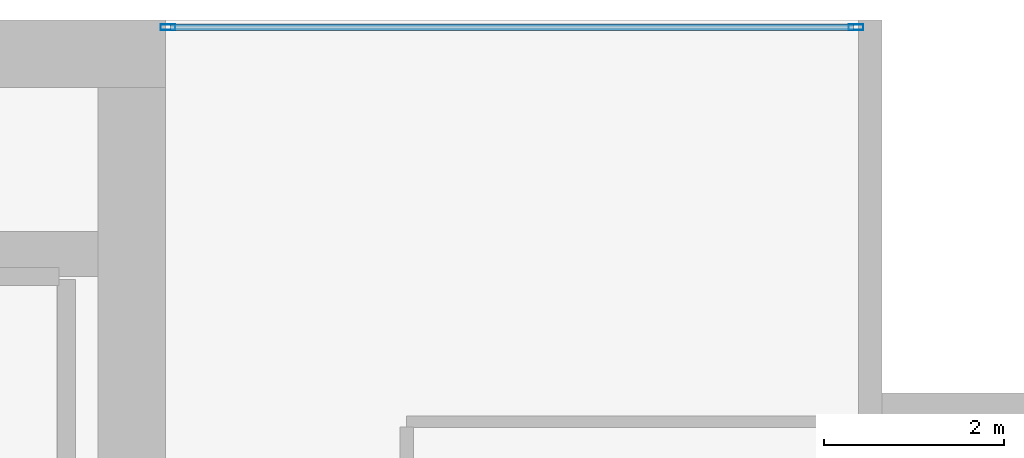
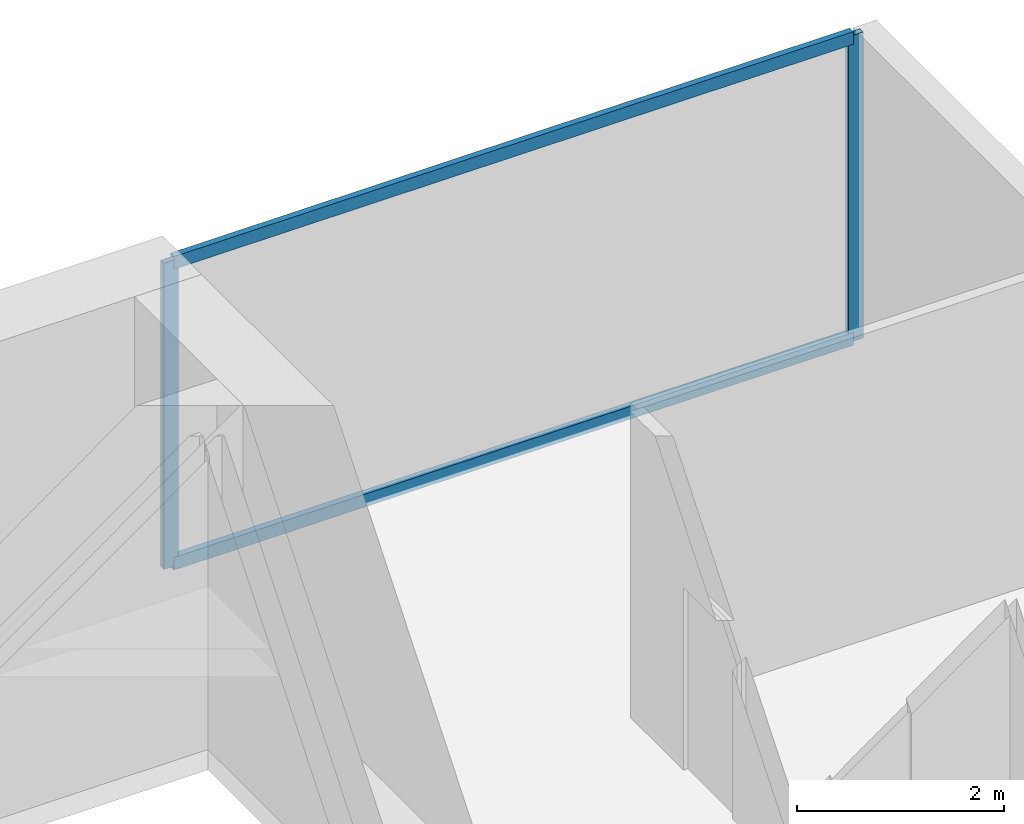
# One storey, part 25 of 34: 4 members, 1 element without a shape of its own.
"""IFC4 building model written with IfcOpenShell, lengths in metres."""

from ifc_helpers import new_model, si_unit, direction, frame, origin, origin_2d, place, context, subcontext, project, spatial, hollow_rectangle, extrude, material, layer, layer_set, material_profile, profile_set, type_object, element, aggregate, save


model = new_model("IFC4")

# Units and contexts
model_context = context("Model", 3, precision=1e-05, world=origin(), true_north=direction((0.0, 1.0)))
body_context = subcontext(model_context, "Body", "Model", "MODEL_VIEW")
ifc_project = project(units=[si_unit("LENGTHUNIT", "METRE"), si_unit("AREAUNIT", "SQUARE_METRE"), si_unit("VOLUMEUNIT", "CUBIC_METRE"), si_unit("PLANEANGLEUNIT", "RADIAN"), si_unit("MASSUNIT", "GRAM", prefix="KILO")], contexts=[model_context])

# Site, building, storey
site_placement = place(None, origin())
site = spatial("IfcSite", under=ifc_project, at=site_placement, CompositionType="ELEMENT")
building_placement = place(site_placement, origin())
building = spatial("IfcBuilding", under=site, at=building_placement, Name="Maruvema Waterfront Hotel and Observation Tower", CompositionType="ELEMENT")
storey_placement = place(building_placement, frame((0.0, 0.0, 173.60009765625)))
storey = spatial("IfcBuildingStorey", under=building, at=storey_placement, Name="L42", CompositionType="ELEMENT", Elevation=173.60009765625)

# Curtain wall, members
ifc_material_1 = material(Name="Anodised bronze aluminium and solar-control low-E IGU", Category="aluminium")
ifc_layer = layer(ifc_material_1, 0.159912109375, Name="Zone 2 Amber Inner Thermal Curtain Wall System CW-03")
ifc_layer_set = layer_set([ifc_layer], Name="Anodised bronze aluminium and solar-control low-E IGU")
curtain_wall_type = type_object("IfcCurtainWallType", Name="Zone 2 Amber Inner Thermal Curtain Wall System CW-03", PredefinedType="USERDEFINED", material=ifc_layer_set)
curtain_wall_placement = place(storey_placement, origin())
curtain_wall = element("IfcCurtainWall", 1, at=curtain_wall_placement, inside=storey, type_object=curtain_wall_type, Name="L42 Curtain Wall CW-L42-NE", ObjectType="UNITISED CURTAIN WALL", PredefinedType="USERDEFINED")
ifc_material_2 = material(Name="Anodised architectural bronze aluminium", Category="aluminium")
ifc_material_profile_1 = material_profile(ifc_material_2, hollow_rectangle(XDim=0.070068359375, YDim=0.14990234375, WallThickness=0.00390625, at=origin_2d()), Name="ALU-T70x150")
ifc_profile_set_1 = profile_set([ifc_material_profile_1], Name="Anodised architectural bronze aluminium")
member_type_1 = type_object("IfcMemberType", Name="Curtain Wall Horizontal Transom ALU-T70x150", PredefinedType="USERDEFINED", material=ifc_profile_set_1)
member_1_placement = place(storey_placement, frame((58.0400390625, 53.919921875, 0.02978515625), z_axis=(-1.0, 0.0, 0.0), x_axis=(0.0, -1.0, 0.0)))
member_1 = element("IfcMember", 2, at=member_1_placement, type_object=member_type_1, Name="CW-03 transom 1.1", ObjectType="TRANSOM", PredefinedType="USERDEFINED", context=body_context, shape_type="SweptSolid", body=[
    extrude(hollow_rectangle(XDim=0.070068359375, YDim=0.14990234375, WallThickness=0.00390625, at=origin_2d()), origin(), (0.0, 0.0, 1.0), 7.580078125),
])
member_2_placement = place(storey_placement, frame((58.0400390625, 53.919921875, 3.579833984375), z_axis=(-1.0, 0.0, 0.0), x_axis=(0.0, -1.0, 0.0)))
member_2 = element("IfcMember", 3, at=member_2_placement, type_object=member_type_1, Name="CW-03 transom 1.2", ObjectType="TRANSOM", PredefinedType="USERDEFINED", context=body_context, shape_type="SweptSolid", body=[
    extrude(hollow_rectangle(XDim=0.070068359375, YDim=0.14990234375, WallThickness=0.00390625, at=origin_2d()), origin(), (0.0, 0.0, 1.0), 7.580078125),
])
ifc_material_3 = material(Name="Anodised architectural bronze aluminium", Category="aluminium")
ifc_material_profile_2 = material_profile(ifc_material_3, hollow_rectangle(XDim=0.06494140625, YDim=0.1650390625, WallThickness=0.00390625, at=origin_2d()), Name="ALU-M65x165")
ifc_profile_set_2 = profile_set([ifc_material_profile_2], Name="Anodised architectural bronze aluminium")
member_type_2 = type_object("IfcMemberType", Name="Curtain Wall Primary Mullion ALU-M65x165", PredefinedType="MULLION", material=ifc_profile_set_2)
member_3_placement = place(storey_placement, frame((58.070068359375, 53.919921875, 0.0), z_axis=(0.0, 0.0, 1.0), x_axis=(0.0, -1.0, 0.0)))
member_3 = element("IfcMember", 4, at=member_3_placement, type_object=member_type_2, Name="CW-03 mullion 1", PredefinedType="MULLION", context=body_context, shape_type="SweptSolid", body=[
    extrude(hollow_rectangle(XDim=0.06494140625, YDim=0.1650390625, WallThickness=0.00390625, at=origin_2d()), origin(), (0.0, 0.0, 1.0), 3.60986328125),
])
member_4_placement = place(storey_placement, frame((50.429931640625, 53.919921875, 0.0), z_axis=(0.0, 0.0, 1.0), x_axis=(0.0, -1.0, 0.0)))
member_4 = element("IfcMember", 5, at=member_4_placement, type_object=member_type_2, Name="CW-03 mullion 2", PredefinedType="MULLION", context=body_context, shape_type="SweptSolid", body=[
    extrude(hollow_rectangle(XDim=0.06494140625, YDim=0.1650390625, WallThickness=0.00390625, at=origin_2d()), origin(), (0.0, 0.0, 1.0), 3.60986328125),
])
aggregate(curtain_wall, [member_3, member_4, member_1, member_2])

save(model, "model.ifc")
